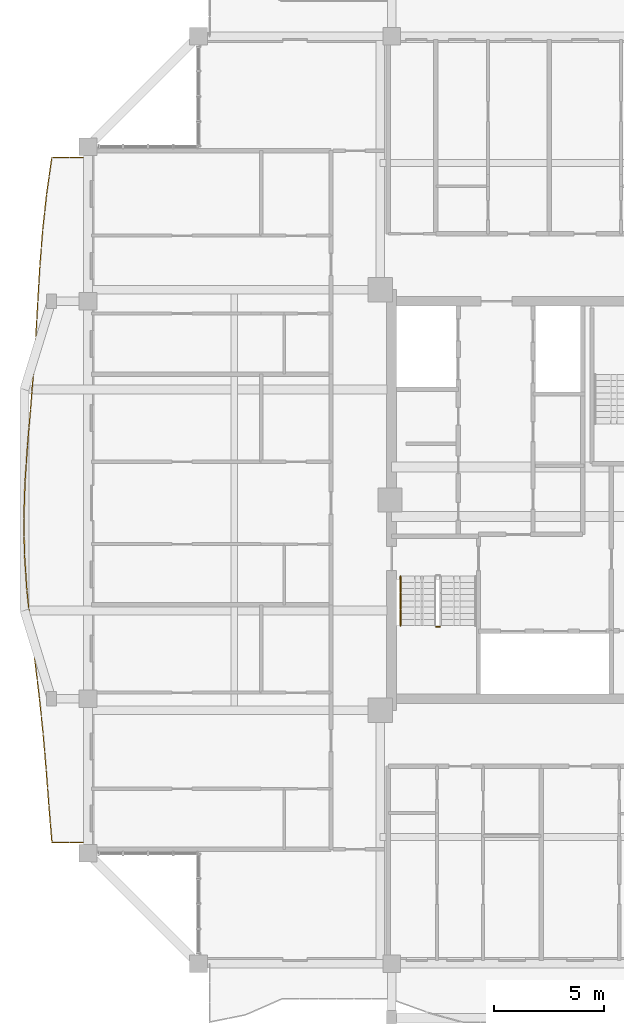
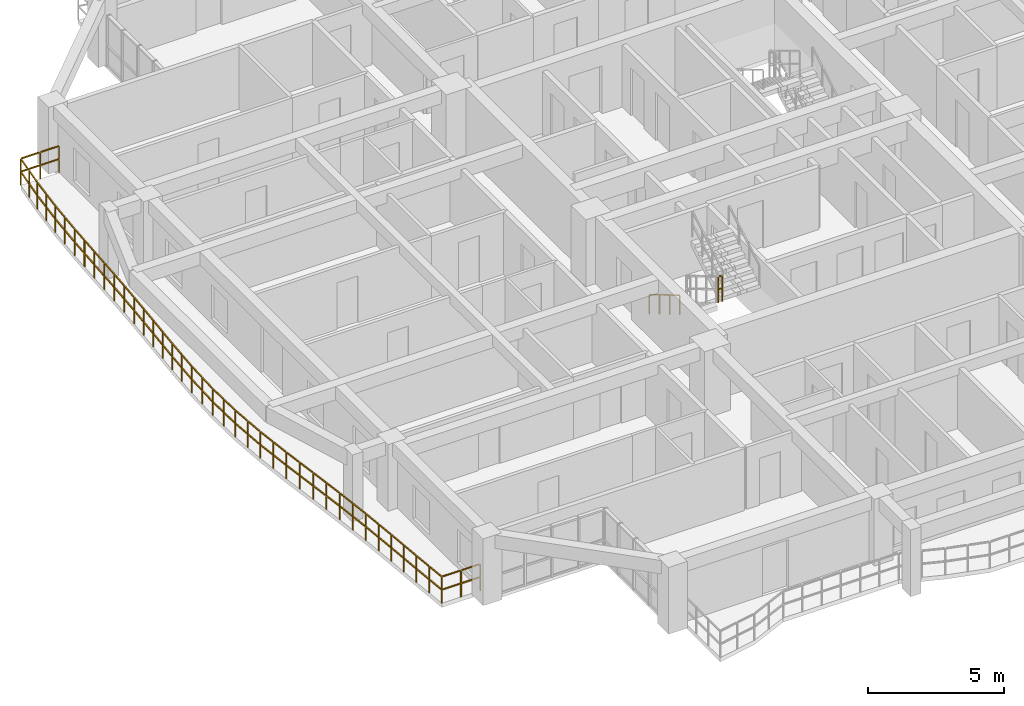
# One storey, part 19 of 22: 3 railings.
"""IFC4 building model written with IfcOpenShell, lengths in metres."""

from ifc_helpers import new_model, si_unit, direction, frame, origin, origin_2d, place, context, subcontext, project, spatial, rectangle, extrude, material, type_object, element, save


model = new_model("IFC4")

# Units and contexts
model_context = context("Model", 3, precision=1e-05, world=origin(), true_north=direction((0.0, 1.0)))
body_context = subcontext(model_context, "Body", "Model", "MODEL_VIEW")
ifc_project = project(units=[si_unit("LENGTHUNIT", "METRE"), si_unit("AREAUNIT", "SQUARE_METRE"), si_unit("VOLUMEUNIT", "CUBIC_METRE"), si_unit("PLANEANGLEUNIT", "RADIAN"), si_unit("MASSUNIT", "GRAM", prefix="KILO")], contexts=[model_context])

# Site, building, storey
site_placement = place(None, origin())
site = spatial("IfcSite", under=ifc_project, at=site_placement, CompositionType="ELEMENT")
building_placement = place(site_placement, origin())
building = spatial("IfcBuilding", under=site, at=building_placement, Name="Saelheon Loggia Tower", CompositionType="ELEMENT")
storey_placement = place(building_placement, frame((0.0, 0.0, 176.800048828125)))
storey = spatial("IfcBuildingStorey", under=building, at=storey_placement, Name="L55", CompositionType="ELEMENT", Elevation=176.800048828125)

# Railings
ifc_material_1 = material(Name="Architectural Precast Concrete and Laminated Glass Guard", Category="concrete")
railing_type_1 = type_object("IfcRailingType", Name="Guard_Loggia_RL_LOG", PredefinedType="BALUSTRADE", material=ifc_material_1)
railing_1_placement = place(storey_placement, frame((17.75, 42.5, 0.0)))
element("IfcRailing", 1, at=railing_1_placement, inside=storey, type_object=railing_type_1, Name="L55 West Loggia Balustrade", PredefinedType="BALUSTRADE", context=body_context, shape_type="SweptSolid", body=[
    extrude(rectangle(XDim=0.048095703125, YDim=0.048095703125, at=origin_2d()), frame((-0.033203125, 0.0, 1.19580078125), z_axis=(-1.0, 0.0, 0.0), x_axis=(0.0, -1.0, 0.0)), (0.0, 0.0, 1.0), 0.754150390625),
    extrude(rectangle(XDim=0.048095703125, YDim=0.048095703125, at=origin_2d()), frame((-0.033203125, 0.0, 0.60986328125), z_axis=(-1.0, 0.0, 0.0), x_axis=(0.0, -1.0, 0.0)), (0.0, 0.0, 1.0), 0.754150390625),
    extrude(rectangle(XDim=0.048095703125, YDim=0.048095703125, at=origin_2d()), frame((-0.85400390625, 0.0, 1.19580078125), z_axis=(-1.0, 0.0, 0.0), x_axis=(0.0, -1.0, 0.0)), (0.0, 0.0, 1.0), 0.754150390625),
    extrude(rectangle(XDim=0.048095703125, YDim=0.048095703125, at=origin_2d()), frame((-0.85400390625, 0.0, 0.60986328125), z_axis=(-1.0, 0.0, 0.0), x_axis=(0.0, -1.0, 0.0)), (0.0, 0.0, 1.0), 0.754150390625),
    extrude(rectangle(XDim=0.048095703125, YDim=0.048095703125, at=origin_2d()), frame((-1.64599609375, -0.032958984375, 1.19580078125), z_axis=(-0.142043416269, -0.989860428492, 0.0), x_axis=(0.989860428492, -0.142043416269, 0.0)), (0.0, 0.0, 1.0), 0.757568359375),
    extrude(rectangle(XDim=0.048095703125, YDim=0.048095703125, at=origin_2d()), frame((-1.64599609375, -0.032958984375, 0.60986328125), z_axis=(-0.142043416269, -0.989860428492, 0.0), x_axis=(0.989860428492, -0.142043416269, 0.0)), (0.0, 0.0, 1.0), 0.757568359375),
    extrude(rectangle(XDim=0.048095703125, YDim=0.048095703125, at=origin_2d()), frame((-1.76318359375, -0.8486328125, 1.19580078125), z_axis=(-0.142043416269, -0.989860428492, 0.0), x_axis=(0.989860428492, -0.142043416269, 0.0)), (0.0, 0.0, 1.0), 0.757568359375),
    extrude(rectangle(XDim=0.048095703125, YDim=0.048095703125, at=origin_2d()), frame((-1.76318359375, -0.8486328125, 0.60986328125), z_axis=(-0.142043416269, -0.989860428492, 0.0), x_axis=(0.989860428492, -0.142043416269, 0.0)), (0.0, 0.0, 1.0), 0.757568359375),
    extrude(rectangle(XDim=0.048095703125, YDim=0.048095703125, at=origin_2d()), frame((-1.879150390625, -1.66455078125, 1.19580078125), z_axis=(-0.10888046536, -0.994054849726, 0.0), x_axis=(0.994054849726, -0.10888046536, 0.0)), (0.0, 0.0, 1.0), 0.754150390625),
    extrude(rectangle(XDim=0.048095703125, YDim=0.048095703125, at=origin_2d()), frame((-1.879150390625, -1.66455078125, 0.60986328125), z_axis=(-0.10888046536, -0.994054849726, 0.0), x_axis=(0.994054849726, -0.10888046536, 0.0)), (0.0, 0.0, 1.0), 0.754150390625),
    extrude(rectangle(XDim=0.048095703125, YDim=0.048095703125, at=origin_2d()), frame((-1.968505859375, -2.48046875, 1.19580078125), z_axis=(-0.10888046536, -0.994054849726, 0.0), x_axis=(0.994054849726, -0.10888046536, 0.0)), (0.0, 0.0, 1.0), 0.754150390625),
    extrude(rectangle(XDim=0.048095703125, YDim=0.048095703125, at=origin_2d()), frame((-1.968505859375, -2.48046875, 0.60986328125), z_axis=(-0.10888046536, -0.994054849726, 0.0), x_axis=(0.994054849726, -0.10888046536, 0.0)), (0.0, 0.0, 1.0), 0.754150390625),
    extrude(rectangle(XDim=0.048095703125, YDim=0.048095703125, at=origin_2d()), frame((-2.056884765625, -3.29638671875, 1.19580078125), z_axis=(-0.077426603381, -0.996998054707, 0.0), x_axis=(0.996998054707, -0.077426603381, 0.0)), (0.0, 0.0, 1.0), 0.751708984375),
    extrude(rectangle(XDim=0.048095703125, YDim=0.048095703125, at=origin_2d()), frame((-2.056884765625, -3.29638671875, 0.60986328125), z_axis=(-0.077426603381, -0.996998054707, 0.0), x_axis=(0.996998054707, -0.077426603381, 0.0)), (0.0, 0.0, 1.0), 0.751708984375),
    extrude(rectangle(XDim=0.048095703125, YDim=0.048095703125, at=origin_2d()), frame((-2.1201171875, -4.112060546875, 1.19580078125), z_axis=(-0.077426603381, -0.996998054707, 0.0), x_axis=(0.996998054707, -0.077426603381, 0.0)), (0.0, 0.0, 1.0), 0.751708984375),
    extrude(rectangle(XDim=0.048095703125, YDim=0.048095703125, at=origin_2d()), frame((-2.1201171875, -4.112060546875, 0.60986328125), z_axis=(-0.077426603381, -0.996998054707, 0.0), x_axis=(0.996998054707, -0.077426603381, 0.0)), (0.0, 0.0, 1.0), 0.751708984375),
    extrude(rectangle(XDim=0.048095703125, YDim=0.048095703125, at=origin_2d()), frame((-2.182861328125, -4.927978515625, 1.19580078125), z_axis=(-0.058406780031, -0.998292866871, 0.0), x_axis=(0.998292866871, -0.058406780031, 0.0)), (0.0, 0.0, 1.0), 0.750732421875),
    extrude(rectangle(XDim=0.048095703125, YDim=0.048095703125, at=origin_2d()), frame((-2.182861328125, -4.927978515625, 0.60986328125), z_axis=(-0.058406780031, -0.998292866871, 0.0), x_axis=(0.998292866871, -0.058406780031, 0.0)), (0.0, 0.0, 1.0), 0.750732421875),
    extrude(rectangle(XDim=0.048095703125, YDim=0.048095703125, at=origin_2d()), frame((-2.23046875, -5.74365234375, 1.19580078125), z_axis=(-0.058406780031, -0.998292866871, 0.0), x_axis=(0.998292866871, -0.058406780031, 0.0)), (0.0, 0.0, 1.0), 0.750732421875),
    extrude(rectangle(XDim=0.048095703125, YDim=0.048095703125, at=origin_2d()), frame((-2.23046875, -5.74365234375, 0.60986328125), z_axis=(-0.058406780031, -0.998292866871, 0.0), x_axis=(0.998292866871, -0.058406780031, 0.0)), (0.0, 0.0, 1.0), 0.750732421875),
    extrude(rectangle(XDim=0.048095703125, YDim=0.048095703125, at=origin_2d()), frame((-2.2783203125, -6.5595703125, 1.19580078125), z_axis=(-0.056024393999, -0.998429400247, 0.0), x_axis=(0.998429400247, -0.056024393999, 0.0)), (0.0, 0.0, 1.0), 0.750732421875),
    extrude(rectangle(XDim=0.048095703125, YDim=0.048095703125, at=origin_2d()), frame((-2.2783203125, -6.5595703125, 0.60986328125), z_axis=(-0.056024393999, -0.998429400247, 0.0), x_axis=(0.998429400247, -0.056024393999, 0.0)), (0.0, 0.0, 1.0), 0.750732421875),
    extrude(rectangle(XDim=0.048095703125, YDim=0.048095703125, at=origin_2d()), frame((-2.323974609375, -7.375244140625, 1.19580078125), z_axis=(-0.056024393999, -0.998429400247, 0.0), x_axis=(0.998429400247, -0.056024393999, 0.0)), (0.0, 0.0, 1.0), 0.750732421875),
    extrude(rectangle(XDim=0.048095703125, YDim=0.048095703125, at=origin_2d()), frame((-2.323974609375, -7.375244140625, 0.60986328125), z_axis=(-0.056024393999, -0.998429400247, 0.0), x_axis=(0.998429400247, -0.056024393999, 0.0)), (0.0, 0.0, 1.0), 0.750732421875),
    extrude(rectangle(XDim=0.048095703125, YDim=0.048095703125, at=origin_2d()), frame((-2.3701171875, -8.191162109375, 1.19580078125), z_axis=(-0.066737013077, -0.997770600432, 0.0), x_axis=(0.997770600432, -0.066737013077, 0.0)), (0.0, 0.0, 1.0), 0.751220703125),
    extrude(rectangle(XDim=0.048095703125, YDim=0.048095703125, at=origin_2d()), frame((-2.3701171875, -8.191162109375, 0.60986328125), z_axis=(-0.066737013077, -0.997770600432, 0.0), x_axis=(0.997770600432, -0.066737013077, 0.0)), (0.0, 0.0, 1.0), 0.751220703125),
    extrude(rectangle(XDim=0.048095703125, YDim=0.048095703125, at=origin_2d()), frame((-2.4248046875, -9.0068359375, 1.19580078125), z_axis=(-0.066737013077, -0.997770600432, 0.0), x_axis=(0.997770600432, -0.066737013077, 0.0)), (0.0, 0.0, 1.0), 0.751220703125),
    extrude(rectangle(XDim=0.048095703125, YDim=0.048095703125, at=origin_2d()), frame((-2.4248046875, -9.0068359375, 0.60986328125), z_axis=(-0.066737013077, -0.997770600432, 0.0), x_axis=(0.997770600432, -0.066737013077, 0.0)), (0.0, 0.0, 1.0), 0.751220703125),
    extrude(rectangle(XDim=0.048095703125, YDim=0.048095703125, at=origin_2d()), frame((-2.479736328125, -9.82275390625, 1.19580078125), z_axis=(-0.079502153526, -0.996834694212, 0.0), x_axis=(0.996834694212, -0.079502153526, 0.0)), (0.0, 0.0, 1.0), 0.751953125),
    extrude(rectangle(XDim=0.048095703125, YDim=0.048095703125, at=origin_2d()), frame((-2.479736328125, -9.82275390625, 0.60986328125), z_axis=(-0.079502153526, -0.996834694212, 0.0), x_axis=(0.996834694212, -0.079502153526, 0.0)), (0.0, 0.0, 1.0), 0.751953125),
    extrude(rectangle(XDim=0.048095703125, YDim=0.048095703125, at=origin_2d()), frame((-2.544677734375, -10.638427734375, 1.19580078125), z_axis=(-0.079502153526, -0.996834694212, 0.0), x_axis=(0.996834694212, -0.079502153526, 0.0)), (0.0, 0.0, 1.0), 0.751953125),
    extrude(rectangle(XDim=0.048095703125, YDim=0.048095703125, at=origin_2d()), frame((-2.544677734375, -10.638427734375, 0.60986328125), z_axis=(-0.079502153526, -0.996834694212, 0.0), x_axis=(0.996834694212, -0.079502153526, 0.0)), (0.0, 0.0, 1.0), 0.751953125),
    extrude(rectangle(XDim=0.048095703125, YDim=0.048095703125, at=origin_2d()), frame((-2.60986328125, -11.454345703125, 1.19580078125), z_axis=(-0.082773935064, -0.996568349725, 0.0), x_axis=(0.996568349725, -0.082773935064, 0.0)), (0.0, 0.0, 1.0), 0.751953125),
    extrude(rectangle(XDim=0.048095703125, YDim=0.048095703125, at=origin_2d()), frame((-2.60986328125, -11.454345703125, 0.60986328125), z_axis=(-0.082773935064, -0.996568349725, 0.0), x_axis=(0.996568349725, -0.082773935064, 0.0)), (0.0, 0.0, 1.0), 0.751953125),
    extrude(rectangle(XDim=0.048095703125, YDim=0.048095703125, at=origin_2d()), frame((-2.677734375, -12.27001953125, 1.19580078125), z_axis=(-0.082773935064, -0.996568349725, 0.0), x_axis=(0.996568349725, -0.082773935064, 0.0)), (0.0, 0.0, 1.0), 0.751953125),
    extrude(rectangle(XDim=0.048095703125, YDim=0.048095703125, at=origin_2d()), frame((-2.677734375, -12.27001953125, 0.60986328125), z_axis=(-0.082773935064, -0.996568349725, 0.0), x_axis=(0.996568349725, -0.082773935064, 0.0)), (0.0, 0.0, 1.0), 0.751953125),
    extrude(rectangle(XDim=0.048095703125, YDim=0.048095703125, at=origin_2d()), frame((-2.744873046875, -13.085693359375, 1.19580078125), z_axis=(-0.067480131587, -0.99772061813, 0.0), x_axis=(0.99772061813, -0.067480131587, 0.0)), (0.0, 0.0, 1.0), 0.751220703125),
    extrude(rectangle(XDim=0.048095703125, YDim=0.048095703125, at=origin_2d()), frame((-2.744873046875, -13.085693359375, 0.60986328125), z_axis=(-0.067480131587, -0.99772061813, 0.0), x_axis=(0.99772061813, -0.067480131587, 0.0)), (0.0, 0.0, 1.0), 0.751220703125),
    extrude(rectangle(XDim=0.048095703125, YDim=0.048095703125, at=origin_2d()), frame((-2.800048828125, -13.9013671875, 1.19580078125), z_axis=(-0.067480131587, -0.99772061813, 0.0), x_axis=(0.99772061813, -0.067480131587, 0.0)), (0.0, 0.0, 1.0), 0.751220703125),
    extrude(rectangle(XDim=0.048095703125, YDim=0.048095703125, at=origin_2d()), frame((-2.800048828125, -13.9013671875, 0.60986328125), z_axis=(-0.067480131587, -0.99772061813, 0.0), x_axis=(0.99772061813, -0.067480131587, 0.0)), (0.0, 0.0, 1.0), 0.751220703125),
    extrude(rectangle(XDim=0.048095703125, YDim=0.048095703125, at=origin_2d()), frame((-2.85400390625, -14.71728515625, 1.19580078125), z_axis=(-0.032149739476, -0.999483063514, 0.0), x_axis=(0.999483063514, -0.032149739476, 0.0)), (0.0, 0.0, 1.0), 0.749755859375),
    extrude(rectangle(XDim=0.048095703125, YDim=0.048095703125, at=origin_2d()), frame((-2.85400390625, -14.71728515625, 0.60986328125), z_axis=(-0.032149739476, -0.999483063514, 0.0), x_axis=(0.999483063514, -0.032149739476, 0.0)), (0.0, 0.0, 1.0), 0.749755859375),
    extrude(rectangle(XDim=0.048095703125, YDim=0.048095703125, at=origin_2d()), frame((-2.88037109375, -15.533203125, 1.19580078125), z_axis=(-0.032149739476, -0.999483063514, 0.0), x_axis=(0.999483063514, -0.032149739476, 0.0)), (0.0, 0.0, 1.0), 0.749755859375),
    extrude(rectangle(XDim=0.048095703125, YDim=0.048095703125, at=origin_2d()), frame((-2.88037109375, -15.533203125, 0.60986328125), z_axis=(-0.032149739476, -0.999483063514, 0.0), x_axis=(0.999483063514, -0.032149739476, 0.0)), (0.0, 0.0, 1.0), 0.749755859375),
    extrude(rectangle(XDim=0.048095703125, YDim=0.048095703125, at=origin_2d()), frame((-2.905029296875, -16.34912109375, 1.19580078125), z_axis=(0.016607016674, -0.99986209399, 0.0), x_axis=(0.99986209399, 0.016607016674, 0.0)), (0.0, 0.0, 1.0), 0.74951171875),
    extrude(rectangle(XDim=0.048095703125, YDim=0.048095703125, at=origin_2d()), frame((-2.905029296875, -16.34912109375, 0.60986328125), z_axis=(0.016607016674, -0.99986209399, 0.0), x_axis=(0.99986209399, 0.016607016674, 0.0)), (0.0, 0.0, 1.0), 0.74951171875),
    extrude(rectangle(XDim=0.048095703125, YDim=0.048095703125, at=origin_2d()), frame((-2.891357421875, -17.1650390625, 1.19580078125), z_axis=(0.016607016674, -0.99986209399, 0.0), x_axis=(0.99986209399, 0.016607016674, 0.0)), (0.0, 0.0, 1.0), 0.74951171875),
    extrude(rectangle(XDim=0.048095703125, YDim=0.048095703125, at=origin_2d()), frame((-2.891357421875, -17.1650390625, 0.60986328125), z_axis=(0.016607016674, -0.99986209399, 0.0), x_axis=(0.99986209399, 0.016607016674, 0.0)), (0.0, 0.0, 1.0), 0.74951171875),
    extrude(rectangle(XDim=0.048095703125, YDim=0.048095703125, at=origin_2d()), frame((-2.876220703125, -17.980712890625, 1.19580078125), z_axis=(0.066598297147, -0.997779868918, 0.0), x_axis=(0.997779868918, 0.066598297147, 0.0)), (0.0, 0.0, 1.0), 0.7509765625),
    extrude(rectangle(XDim=0.048095703125, YDim=0.048095703125, at=origin_2d()), frame((-2.876220703125, -17.980712890625, 0.60986328125), z_axis=(0.066598297147, -0.997779868918, 0.0), x_axis=(0.997779868918, 0.066598297147, 0.0)), (0.0, 0.0, 1.0), 0.7509765625),
    extrude(rectangle(XDim=0.048095703125, YDim=0.048095703125, at=origin_2d()), frame((-2.82177734375, -18.79638671875, 1.19580078125), z_axis=(0.066598297147, -0.997779868918, 0.0), x_axis=(0.997779868918, 0.066598297147, 0.0)), (0.0, 0.0, 1.0), 0.7509765625),
    extrude(rectangle(XDim=0.048095703125, YDim=0.048095703125, at=origin_2d()), frame((-2.82177734375, -18.79638671875, 0.60986328125), z_axis=(0.066598297147, -0.997779868918, 0.0), x_axis=(0.997779868918, 0.066598297147, 0.0)), (0.0, 0.0, 1.0), 0.7509765625),
    extrude(rectangle(XDim=0.048095703125, YDim=0.048095703125, at=origin_2d()), frame((-2.76611328125, -19.61181640625, 1.19580078125), z_axis=(0.104320685609, -0.994543711736, 0.0), x_axis=(0.994543711736, 0.104320685609, 0.0)), (0.0, 0.0, 1.0), 0.75390625),
    extrude(rectangle(XDim=0.048095703125, YDim=0.048095703125, at=origin_2d()), frame((-2.76611328125, -19.61181640625, 0.60986328125), z_axis=(0.104320685609, -0.994543711736, 0.0), x_axis=(0.994543711736, 0.104320685609, 0.0)), (0.0, 0.0, 1.0), 0.75390625),
    extrude(rectangle(XDim=0.048095703125, YDim=0.048095703125, at=origin_2d()), frame((-2.680419921875, -20.427734375, 1.19580078125), z_axis=(0.104320685609, -0.994543711736, 0.0), x_axis=(0.994543711736, 0.104320685609, 0.0)), (0.0, 0.0, 1.0), 0.75390625),
    extrude(rectangle(XDim=0.048095703125, YDim=0.048095703125, at=origin_2d()), frame((-2.680419921875, -20.427734375, 0.60986328125), z_axis=(0.104320685609, -0.994543711736, 0.0), x_axis=(0.994543711736, 0.104320685609, 0.0)), (0.0, 0.0, 1.0), 0.75390625),
    extrude(rectangle(XDim=0.048095703125, YDim=0.048095703125, at=origin_2d()), frame((-2.59423828125, -21.243408203125, 1.19580078125), z_axis=(0.121932370981, -0.992538410797, 0.0), x_axis=(0.992538410797, 0.121932370981, 0.0)), (0.0, 0.0, 1.0), 0.75537109375),
    extrude(rectangle(XDim=0.048095703125, YDim=0.048095703125, at=origin_2d()), frame((-2.59423828125, -21.243408203125, 0.60986328125), z_axis=(0.121932370981, -0.992538410797, 0.0), x_axis=(0.992538410797, 0.121932370981, 0.0)), (0.0, 0.0, 1.0), 0.75537109375),
    extrude(rectangle(XDim=0.048095703125, YDim=0.048095703125, at=origin_2d()), frame((-2.494140625, -22.059326171875, 1.19580078125), z_axis=(0.121932370981, -0.992538410797, 0.0), x_axis=(0.992538410797, 0.121932370981, 0.0)), (0.0, 0.0, 1.0), 0.75537109375),
    extrude(rectangle(XDim=0.048095703125, YDim=0.048095703125, at=origin_2d()), frame((-2.494140625, -22.059326171875, 0.60986328125), z_axis=(0.121932370981, -0.992538410797, 0.0), x_axis=(0.992538410797, 0.121932370981, 0.0)), (0.0, 0.0, 1.0), 0.75537109375),
    extrude(rectangle(XDim=0.048095703125, YDim=0.048095703125, at=origin_2d()), frame((-2.39404296875, -22.875, 1.19580078125), z_axis=(0.119151078954, -0.992876135469, 0.0), x_axis=(0.992876135469, 0.119151078954, 0.0)), (0.0, 0.0, 1.0), 0.755126953125),
    extrude(rectangle(XDim=0.048095703125, YDim=0.048095703125, at=origin_2d()), frame((-2.39404296875, -22.875, 0.60986328125), z_axis=(0.119151078954, -0.992876135469, 0.0), x_axis=(0.992876135469, 0.119151078954, 0.0)), (0.0, 0.0, 1.0), 0.755126953125),
    extrude(rectangle(XDim=0.048095703125, YDim=0.048095703125, at=origin_2d()), frame((-2.296142578125, -23.69091796875, 1.19580078125), z_axis=(0.119151078954, -0.992876135469, 0.0), x_axis=(0.992876135469, 0.119151078954, 0.0)), (0.0, 0.0, 1.0), 0.755126953125),
    extrude(rectangle(XDim=0.048095703125, YDim=0.048095703125, at=origin_2d()), frame((-2.296142578125, -23.69091796875, 0.60986328125), z_axis=(0.119151078954, -0.992876135469, 0.0), x_axis=(0.992876135469, 0.119151078954, 0.0)), (0.0, 0.0, 1.0), 0.755126953125),
    extrude(rectangle(XDim=0.048095703125, YDim=0.048095703125, at=origin_2d()), frame((-2.19873046875, -24.506591796875, 1.19580078125), z_axis=(0.102701101398, -0.994712261798, 0.0), x_axis=(0.994712261798, 0.102701101398, 0.0)), (0.0, 0.0, 1.0), 0.753662109375),
    extrude(rectangle(XDim=0.048095703125, YDim=0.048095703125, at=origin_2d()), frame((-2.19873046875, -24.506591796875, 0.60986328125), z_axis=(0.102701101398, -0.994712261798, 0.0), x_axis=(0.994712261798, 0.102701101398, 0.0)), (0.0, 0.0, 1.0), 0.753662109375),
    extrude(rectangle(XDim=0.048095703125, YDim=0.048095703125, at=origin_2d()), frame((-2.114501953125, -25.322509765625, 1.19580078125), z_axis=(0.102701101398, -0.994712261798, 0.0), x_axis=(0.994712261798, 0.102701101398, 0.0)), (0.0, 0.0, 1.0), 0.753662109375),
    extrude(rectangle(XDim=0.048095703125, YDim=0.048095703125, at=origin_2d()), frame((-2.114501953125, -25.322509765625, 0.60986328125), z_axis=(0.102701101398, -0.994712261798, 0.0), x_axis=(0.994712261798, 0.102701101398, 0.0)), (0.0, 0.0, 1.0), 0.753662109375),
    extrude(rectangle(XDim=0.048095703125, YDim=0.048095703125, at=origin_2d()), frame((-2.03076171875, -26.138427734375, 1.19580078125), z_axis=(0.084538420607, -0.996420220309, 0.0), x_axis=(0.996420220309, 0.084538420607, 0.0)), (0.0, 0.0, 1.0), 0.752197265625),
    extrude(rectangle(XDim=0.048095703125, YDim=0.048095703125, at=origin_2d()), frame((-2.03076171875, -26.138427734375, 0.60986328125), z_axis=(0.084538420607, -0.996420220309, 0.0), x_axis=(0.996420220309, 0.084538420607, 0.0)), (0.0, 0.0, 1.0), 0.752197265625),
    extrude(rectangle(XDim=0.048095703125, YDim=0.048095703125, at=origin_2d()), frame((-1.961669921875, -26.9541015625, 1.19580078125), z_axis=(0.084538420607, -0.996420220309, 0.0), x_axis=(0.996420220309, 0.084538420607, 0.0)), (0.0, 0.0, 1.0), 0.752197265625),
    extrude(rectangle(XDim=0.048095703125, YDim=0.048095703125, at=origin_2d()), frame((-1.961669921875, -26.9541015625, 0.60986328125), z_axis=(0.084538420607, -0.996420220309, 0.0), x_axis=(0.996420220309, 0.084538420607, 0.0)), (0.0, 0.0, 1.0), 0.752197265625),
    extrude(rectangle(XDim=0.048095703125, YDim=0.048095703125, at=origin_2d()), frame((-1.892822265625, -27.77001953125, 1.19580078125), z_axis=(0.075943449395, -0.99711212634, 0.0), x_axis=(0.99711212634, 0.075943449395, 0.0)), (0.0, 0.0, 1.0), 0.751708984375),
    extrude(rectangle(XDim=0.048095703125, YDim=0.048095703125, at=origin_2d()), frame((-1.892822265625, -27.77001953125, 0.60986328125), z_axis=(0.075943449395, -0.99711212634, 0.0), x_axis=(0.99711212634, 0.075943449395, 0.0)), (0.0, 0.0, 1.0), 0.751708984375),
    extrude(rectangle(XDim=0.048095703125, YDim=0.048095703125, at=origin_2d()), frame((-1.83056640625, -28.585693359375, 1.19580078125), z_axis=(0.075943449395, -0.99711212634, 0.0), x_axis=(0.99711212634, 0.075943449395, 0.0)), (0.0, 0.0, 1.0), 0.751708984375),
    extrude(rectangle(XDim=0.048095703125, YDim=0.048095703125, at=origin_2d()), frame((-1.83056640625, -28.585693359375, 0.60986328125), z_axis=(0.075943449395, -0.99711212634, 0.0), x_axis=(0.99711212634, 0.075943449395, 0.0)), (0.0, 0.0, 1.0), 0.751708984375),
    extrude(rectangle(XDim=0.048095703125, YDim=0.048095703125, at=origin_2d()), frame((-1.768310546875, -29.401611328125, 1.19580078125), z_axis=(0.083057820513, -0.99654472978, 0.0), x_axis=(0.99654472978, 0.083057820513, 0.0)), (0.0, 0.0, 1.0), 0.752197265625),
    extrude(rectangle(XDim=0.048095703125, YDim=0.048095703125, at=origin_2d()), frame((-1.768310546875, -29.401611328125, 0.60986328125), z_axis=(0.083057820513, -0.99654472978, 0.0), x_axis=(0.99654472978, 0.083057820513, 0.0)), (0.0, 0.0, 1.0), 0.752197265625),
    extrude(rectangle(XDim=0.048095703125, YDim=0.048095703125, at=origin_2d()), frame((-1.7001953125, -30.21728515625, 1.19580078125), z_axis=(0.083057820513, -0.99654472978, 0.0), x_axis=(0.99654472978, 0.083057820513, 0.0)), (0.0, 0.0, 1.0), 0.752197265625),
    extrude(rectangle(XDim=0.048095703125, YDim=0.048095703125, at=origin_2d()), frame((-1.7001953125, -30.21728515625, 0.60986328125), z_axis=(0.083057820513, -0.99654472978, 0.0), x_axis=(0.99654472978, 0.083057820513, 0.0)), (0.0, 0.0, 1.0), 0.752197265625),
    extrude(rectangle(XDim=0.048095703125, YDim=0.048095703125, at=origin_2d()), frame((-1.601806640625, -31.0, 1.19580078125), z_axis=(1.0, 0.0, 0.0), x_axis=(0.0, 1.0, 0.0)), (0.0, 0.0, 1.0), 0.7509765625),
    extrude(rectangle(XDim=0.048095703125, YDim=0.048095703125, at=origin_2d()), frame((-1.601806640625, -31.0, 0.60986328125), z_axis=(1.0, 0.0, 0.0), x_axis=(0.0, 1.0, 0.0)), (0.0, 0.0, 1.0), 0.7509765625),
    extrude(rectangle(XDim=0.048095703125, YDim=0.048095703125, at=origin_2d()), frame((-0.7841796875, -31.0, 1.19580078125), z_axis=(1.0, 0.0, 0.0), x_axis=(0.0, 1.0, 0.0)), (0.0, 0.0, 1.0), 0.7509765625),
    extrude(rectangle(XDim=0.048095703125, YDim=0.048095703125, at=origin_2d()), frame((-0.7841796875, -31.0, 0.60986328125), z_axis=(1.0, 0.0, 0.0), x_axis=(0.0, 1.0, 0.0)), (0.0, 0.0, 1.0), 0.7509765625),
    extrude(rectangle(XDim=0.0419921875, YDim=0.0419921875, at=origin_2d()), origin(), (0.0, 0.0, 1.0), 1.16796875),
    extrude(rectangle(XDim=0.0419921875, YDim=0.0419921875, at=origin_2d()), frame((-0.82080078125, 0.0, 0.0)), (0.0, 0.0, 1.0), 1.16796875),
    extrude(rectangle(XDim=0.0419921875, YDim=0.0419921875, at=origin_2d()), frame((-1.641357421875, 0.0, 0.0)), (0.0, 0.0, 1.0), 1.16796875),
    extrude(rectangle(XDim=0.0419921875, YDim=0.0419921875, at=origin_2d()), frame((-1.75830078125, -0.81591796875, 0.0)), (0.0, 0.0, 1.0), 1.16796875),
    extrude(rectangle(XDim=0.0419921875, YDim=0.0419921875, at=origin_2d()), frame((-1.87548828125, -1.631591796875, 0.0)), (0.0, 0.0, 1.0), 1.16796875),
    extrude(rectangle(XDim=0.0419921875, YDim=0.0419921875, at=origin_2d()), frame((-1.96484375, -2.447265625, 0.0)), (0.0, 0.0, 1.0), 1.16796875),
    extrude(rectangle(XDim=0.0419921875, YDim=0.0419921875, at=origin_2d()), frame((-2.05419921875, -3.26318359375, 0.0)), (0.0, 0.0, 1.0), 1.16796875),
    extrude(rectangle(XDim=0.0419921875, YDim=0.0419921875, at=origin_2d()), frame((-2.11767578125, -4.0791015625, 0.0)), (0.0, 0.0, 1.0), 1.16796875),
    extrude(rectangle(XDim=0.0419921875, YDim=0.0419921875, at=origin_2d()), frame((-2.180908203125, -4.894775390625, 0.0)), (0.0, 0.0, 1.0), 1.16796875),
    extrude(rectangle(XDim=0.0419921875, YDim=0.0419921875, at=origin_2d()), frame((-2.228515625, -5.71044921875, 0.0)), (0.0, 0.0, 1.0), 1.16796875),
    extrude(rectangle(XDim=0.0419921875, YDim=0.0419921875, at=origin_2d()), frame((-2.2763671875, -6.5263671875, 0.0)), (0.0, 0.0, 1.0), 1.16796875),
    extrude(rectangle(XDim=0.0419921875, YDim=0.0419921875, at=origin_2d()), frame((-2.322265625, -7.34228515625, 0.0)), (0.0, 0.0, 1.0), 1.16796875),
    extrude(rectangle(XDim=0.0419921875, YDim=0.0419921875, at=origin_2d()), frame((-2.367919921875, -8.157958984375, 0.0)), (0.0, 0.0, 1.0), 1.16796875),
    extrude(rectangle(XDim=0.0419921875, YDim=0.0419921875, at=origin_2d()), frame((-2.42236328125, -8.9736328125, 0.0)), (0.0, 0.0, 1.0), 1.16796875),
    extrude(rectangle(XDim=0.0419921875, YDim=0.0419921875, at=origin_2d()), frame((-2.47705078125, -9.78955078125, 0.0)), (0.0, 0.0, 1.0), 1.16796875),
    extrude(rectangle(XDim=0.0419921875, YDim=0.0419921875, at=origin_2d()), frame((-2.5419921875, -10.60546875, 0.0)), (0.0, 0.0, 1.0), 1.16796875),
    extrude(rectangle(XDim=0.0419921875, YDim=0.0419921875, at=origin_2d()), frame((-2.607177734375, -11.421142578125, 0.0)), (0.0, 0.0, 1.0), 1.16796875),
    extrude(rectangle(XDim=0.0419921875, YDim=0.0419921875, at=origin_2d()), frame((-2.6748046875, -12.23681640625, 0.0)), (0.0, 0.0, 1.0), 1.16796875),
    extrude(rectangle(XDim=0.0419921875, YDim=0.0419921875, at=origin_2d()), frame((-2.74267578125, -13.052490234375, 0.0)), (0.0, 0.0, 1.0), 1.16796875),
    extrude(rectangle(XDim=0.0419921875, YDim=0.0419921875, at=origin_2d()), frame((-2.7978515625, -13.8681640625, 0.0)), (0.0, 0.0, 1.0), 1.16796875),
    extrude(rectangle(XDim=0.0419921875, YDim=0.0419921875, at=origin_2d()), frame((-2.85302734375, -14.68408203125, 0.0)), (0.0, 0.0, 1.0), 1.16796875),
    extrude(rectangle(XDim=0.0419921875, YDim=0.0419921875, at=origin_2d()), frame((-2.87939453125, -15.5, 0.0)), (0.0, 0.0, 1.0), 1.16796875),
    extrude(rectangle(XDim=0.0419921875, YDim=0.0419921875, at=origin_2d()), frame((-2.905517578125, -16.31591796875, 0.0)), (0.0, 0.0, 1.0), 1.16796875),
    extrude(rectangle(XDim=0.0419921875, YDim=0.0419921875, at=origin_2d()), frame((-2.89208984375, -17.1318359375, 0.0)), (0.0, 0.0, 1.0), 1.16796875),
    extrude(rectangle(XDim=0.0419921875, YDim=0.0419921875, at=origin_2d()), frame((-2.87841796875, -17.947509765625, 0.0)), (0.0, 0.0, 1.0), 1.16796875),
    extrude(rectangle(XDim=0.0419921875, YDim=0.0419921875, at=origin_2d()), frame((-2.823974609375, -18.76318359375, 0.0)), (0.0, 0.0, 1.0), 1.16796875),
    extrude(rectangle(XDim=0.0419921875, YDim=0.0419921875, at=origin_2d()), frame((-2.76953125, -19.578857421875, 0.0)), (0.0, 0.0, 1.0), 1.16796875),
    extrude(rectangle(XDim=0.0419921875, YDim=0.0419921875, at=origin_2d()), frame((-2.68408203125, -20.39453125, 0.0)), (0.0, 0.0, 1.0), 1.16796875),
    extrude(rectangle(XDim=0.0419921875, YDim=0.0419921875, at=origin_2d()), frame((-2.598388671875, -21.21044921875, 0.0)), (0.0, 0.0, 1.0), 1.16796875),
    extrude(rectangle(XDim=0.0419921875, YDim=0.0419921875, at=origin_2d()), frame((-2.498046875, -22.0263671875, 0.0)), (0.0, 0.0, 1.0), 1.16796875),
    extrude(rectangle(XDim=0.0419921875, YDim=0.0419921875, at=origin_2d()), frame((-2.39794921875, -22.842041015625, 0.0)), (0.0, 0.0, 1.0), 1.16796875),
    extrude(rectangle(XDim=0.0419921875, YDim=0.0419921875, at=origin_2d()), frame((-2.300048828125, -23.65771484375, 0.0)), (0.0, 0.0, 1.0), 1.16796875),
    extrude(rectangle(XDim=0.0419921875, YDim=0.0419921875, at=origin_2d()), frame((-2.2021484375, -24.4736328125, 0.0)), (0.0, 0.0, 1.0), 1.16796875),
    extrude(rectangle(XDim=0.0419921875, YDim=0.0419921875, at=origin_2d()), frame((-2.117919921875, -25.28955078125, 0.0)), (0.0, 0.0, 1.0), 1.16796875),
    extrude(rectangle(XDim=0.0419921875, YDim=0.0419921875, at=origin_2d()), frame((-2.03369140625, -26.105224609375, 0.0)), (0.0, 0.0, 1.0), 1.16796875),
    extrude(rectangle(XDim=0.0419921875, YDim=0.0419921875, at=origin_2d()), frame((-1.96435546875, -26.9208984375, 0.0)), (0.0, 0.0, 1.0), 1.16796875),
    extrude(rectangle(XDim=0.0419921875, YDim=0.0419921875, at=origin_2d()), frame((-1.895263671875, -27.73681640625, 0.0)), (0.0, 0.0, 1.0), 1.16796875),
    extrude(rectangle(XDim=0.0419921875, YDim=0.0419921875, at=origin_2d()), frame((-1.8330078125, -28.552734375, 0.0)), (0.0, 0.0, 1.0), 1.16796875),
    extrude(rectangle(XDim=0.0419921875, YDim=0.0419921875, at=origin_2d()), frame((-1.77099609375, -29.368408203125, 0.0)), (0.0, 0.0, 1.0), 1.16796875),
    extrude(rectangle(XDim=0.0419921875, YDim=0.0419921875, at=origin_2d()), frame((-1.703125, -30.18408203125, 0.0)), (0.0, 0.0, 1.0), 1.16796875),
    extrude(rectangle(XDim=0.0419921875, YDim=0.0419921875, at=origin_2d()), frame((-1.635009765625, -31.0, 0.0)), (0.0, 0.0, 1.0), 1.16796875),
    extrude(rectangle(XDim=0.0419921875, YDim=0.0419921875, at=origin_2d()), frame((-0.8173828125, -31.0, 0.0)), (0.0, 0.0, 1.0), 1.16796875),
    extrude(rectangle(XDim=0.0419921875, YDim=0.0419921875, at=origin_2d()), frame((0.0, -31.0, 0.0)), (0.0, 0.0, 1.0), 1.16796875),
])
ifc_material_2 = material(Name="Galvanised Steel S275 Stairwell Guardrail", Category="steel")
railing_type_2 = type_object("IfcRailingType", Name="Guard_StairWell_RL_STG", PredefinedType="GUARDRAIL", material=ifc_material_2)
railing_2_placement = place(storey_placement, frame((33.510009765625, 21.260009765625, 1.5)))
element("IfcRailing", 2, at=railing_2_placement, inside=storey, type_object=railing_type_2, Name="L55 ST1 stair guard 2", PredefinedType="GUARDRAIL", context=body_context, shape_type="SweptSolid", body=[
    extrude(rectangle(XDim=0.048095703125, YDim=0.048095703125, at=origin_2d()), frame((0.033203125, 0.0, 1.17578125), z_axis=(1.0, 0.0, 0.0), x_axis=(0.0, 1.0, 0.0)), (0.0, 0.0, 1.0), 0.093505859375),
    extrude(rectangle(XDim=0.048095703125, YDim=0.048095703125, at=origin_2d()), frame((0.033203125, 0.0, 0.60009765625), z_axis=(1.0, 0.0, 0.0), x_axis=(0.0, 1.0, 0.0)), (0.0, 0.0, 1.0), 0.093505859375),
    extrude(rectangle(XDim=0.0419921875, YDim=0.0419921875, at=origin_2d()), origin(), (0.0, 0.0, 1.0), 1.14794921875),
    extrude(rectangle(XDim=0.0419921875, YDim=0.0419921875, at=origin_2d()), frame((0.159912109375, 0.0, 0.0)), (0.0, 0.0, 1.0), 1.14794921875),
])
ifc_material_3 = material(Name="Stainless Steel 304 Tubular Handrail", Category="steel")
railing_type_3 = type_object("IfcRailingType", Name="Handrail_Stair_RL_HR1", PredefinedType="HANDRAIL", material=ifc_material_3)
railing_3_placement = place(storey_placement, frame((31.89990234375, 23.550048828125, 0.16650390625)))
element("IfcRailing", 3, at=railing_3_placement, inside=storey, type_object=railing_type_3, Name="L55 ST1 stair handrail 1", PredefinedType="HANDRAIL", context=body_context, shape_type="SweptSolid", body=[
    extrude(rectangle(XDim=0.048095703125, YDim=0.048095703125, at=origin_2d()), frame((0.0, -0.028564453125, 0.892822265625), z_axis=(0.0, -0.859264461869, 0.511531606619), x_axis=(1.0, 0.0, 0.0)), (0.0, 0.0, 1.0), 0.802490234375),
    extrude(rectangle(XDim=0.048095703125, YDim=0.048095703125, at=origin_2d()), frame((0.0, -0.775146484375, 1.33740234375), z_axis=(0.0, -0.859264461869, 0.511531606619), x_axis=(1.0, 0.0, 0.0)), (0.0, 0.0, 1.0), 0.802490234375),
    extrude(rectangle(XDim=0.048095703125, YDim=0.048095703125, at=origin_2d()), frame((0.0, -1.52197265625, 1.78173828125), z_axis=(0.0, -0.859264461869, 0.511531606619), x_axis=(1.0, 0.0, 0.0)), (0.0, 0.0, 1.0), 0.802490234375),
    extrude(rectangle(XDim=0.0419921875, YDim=0.0419921875, at=origin_2d()), origin(), (0.0, 0.0, 1.0), 0.847900390625),
    extrude(rectangle(XDim=0.0419921875, YDim=0.0419921875, at=origin_2d()), frame((0.0, -0.74658203125, 0.444580078125)), (0.0, 0.0, 1.0), 0.847900390625),
    extrude(rectangle(XDim=0.0419921875, YDim=0.0419921875, at=origin_2d()), frame((0.0, -1.493408203125, 0.888916015625)), (0.0, 0.0, 1.0), 0.847900390625),
    extrude(rectangle(XDim=0.0419921875, YDim=0.0419921875, at=origin_2d()), frame((0.0, -2.239990234375, 1.33349609375)), (0.0, 0.0, 1.0), 0.847900390625),
])

save(model, "model.ifc")
